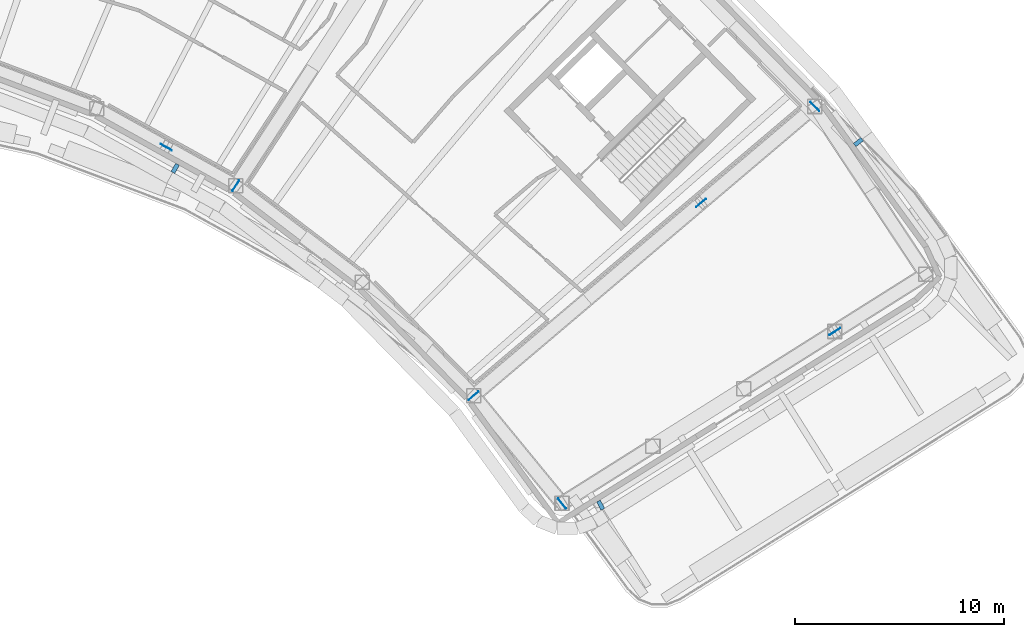
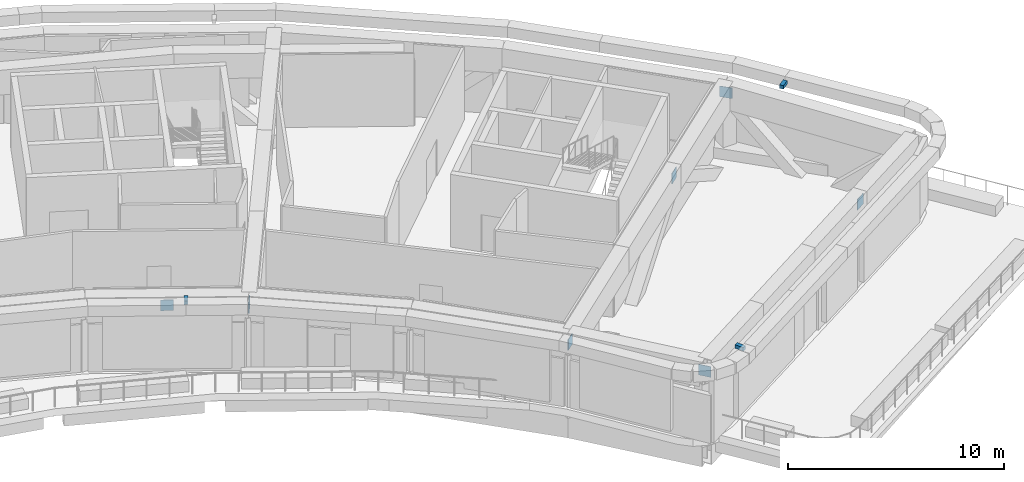
# One storey, part 19 of 26: 10 discrete accessories.
"""IFC4 building model written with IfcOpenShell, lengths in metres."""

from ifc_helpers import new_model, si_unit, direction, frame, origin, origin_2d, place, context, subcontext, project, spatial, rectangle, extrude, material, type_object, element, save


model = new_model("IFC4")

# Units and contexts
model_context = context("Model", 3, precision=1e-05, world=origin(), true_north=direction((0.0, 1.0)))
body_context = subcontext(model_context, "Body", "Model", "MODEL_VIEW")
ifc_project = project(units=[si_unit("LENGTHUNIT", "METRE"), si_unit("AREAUNIT", "SQUARE_METRE"), si_unit("VOLUMEUNIT", "CUBIC_METRE"), si_unit("PLANEANGLEUNIT", "RADIAN"), si_unit("MASSUNIT", "GRAM", prefix="KILO")], contexts=[model_context])

# Site, building, storey
site_placement = place(None, origin())
site = spatial("IfcSite", under=ifc_project, at=site_placement, CompositionType="ELEMENT")
building_placement = place(site_placement, origin())
building = spatial("IfcBuilding", under=site, at=building_placement, Name="Tuul Gate Civic Tower", CompositionType="ELEMENT")
storey_placement = place(building_placement, frame((0.0, 0.0, 167.60009765625)))
storey = spatial("IfcBuildingStorey", under=building, at=storey_placement, Name="Plant and refuge floor 5", CompositionType="ELEMENT", Elevation=167.60009765625)

# Discrete accessories
ifc_material_1 = material(Name="Steel S355", Category="steel")
discrete_accessory_type_1 = type_object("IfcDiscreteAccessoryType", Name="Gusset plate", PredefinedType="BRACKET", material=ifc_material_1)
for number, where, z_axis, x_axis, name in (
    (1, (51.931640625, -17.10302734375, 3.1025390625), (0.0, 0.0, 1.0), (0.76282474496, 0.646605295738, 0.0), "Gusset plate"),
    (2, (41.070556640625, -26.3115234375, 3.10302734375), (0.0, 0.0, 1.0), (0.76282474496, 0.646605295738, 0.0), "Gusset plate"),
    (3, (29.713623046875, -16.288818359375, 3.103271484375), (0.0, 0.0, 1.0), (0.54674333885, 0.837300257627, 0.0), "Gusset plate"),
    (4, (57.3623046875, -12.499755859375, 3.103271484375), (0.0, 0.0, 1.0), (-0.700047997827, 0.71409579241, 0.0), "Gusset plate"),
    (5, (26.396484375, -14.447998046875, 3.103759765625), (0.0, 0.0, 1.0), (-0.874622939422, 0.484803789008, 0.0), "Gusset plate"),
    (6, (45.290771484375, -31.45361328125, 3.102783203125), (0.0, 0.0, 1.0), (-0.634399544235, 0.773005315813, 0.0), "Gusset plate"),
    (7, (58.318115234375, -23.2470703125, 3.103271484375), (0.0, 0.0, 1.0), (0.84627513954, 0.532746082291, 0.0), "Gusset plate"),
):
    element("IfcDiscreteAccessory", number, at=place(storey_placement, frame(where, z_axis=z_axis, x_axis=x_axis)), inside=storey, type_object=discrete_accessory_type_1, Name=name, PredefinedType="BRACKET", context=body_context, shape_type="SweptSolid", body=[
        extrude(rectangle(XDim=0.60009765625, YDim=0.030029296875, at=origin_2d()), origin(), (0.0, 0.0, 1.0), 0.60009765625),
    ])
ifc_material_2 = material(Name="Stainless steel", Category="steel")
discrete_accessory_type_2 = type_object("IfcDiscreteAccessoryType", Name="Screen bracket", PredefinedType="BRACKET", material=ifc_material_2)
for number, where, z_axis, x_axis, name in (
    (8, (59.4423828125, -14.204345703125, 4.0498046875), (0.0, 0.0, 1.0), (0.796383218377, 0.604792335837, 0.0), "Screen bracket 1"),
    (9, (26.82568359375, -15.45751953125, 4.0498046875), (0.0, 0.0, 1.0), (-0.499372596618, -0.866387332402, 0.0), "Screen bracket 28"),
):
    element("IfcDiscreteAccessory", number, at=place(storey_placement, frame(where, z_axis=z_axis, x_axis=x_axis)), inside=storey, type_object=discrete_accessory_type_2, Name=name, PredefinedType="BRACKET", context=body_context, shape_type="SweptSolid", body=[
        extrude(rectangle(XDim=0.4501953125, YDim=0.199951171875, at=origin_2d()), origin(), (0.0, 0.0, 1.0), 0.199951171875),
    ])
discrete_accessory_placement = place(storey_placement, frame((47.1357421875, -31.5361328125, 4.0498046875), z_axis=(0.0, 0.0, 1.0), x_axis=(0.453848979937, -0.891078617974, 0.0)))
element("IfcDiscreteAccessory", 10, at=discrete_accessory_placement, inside=storey, type_object=discrete_accessory_type_2, Name="Screen bracket 31", PredefinedType="BRACKET", context=body_context, shape_type="SweptSolid", body=[
    extrude(rectangle(XDim=0.45166015625, YDim=0.199951171875, at=origin_2d()), origin(), (0.0, 0.0, 1.0), 0.199951171875),
])

save(model, "model.ifc")
